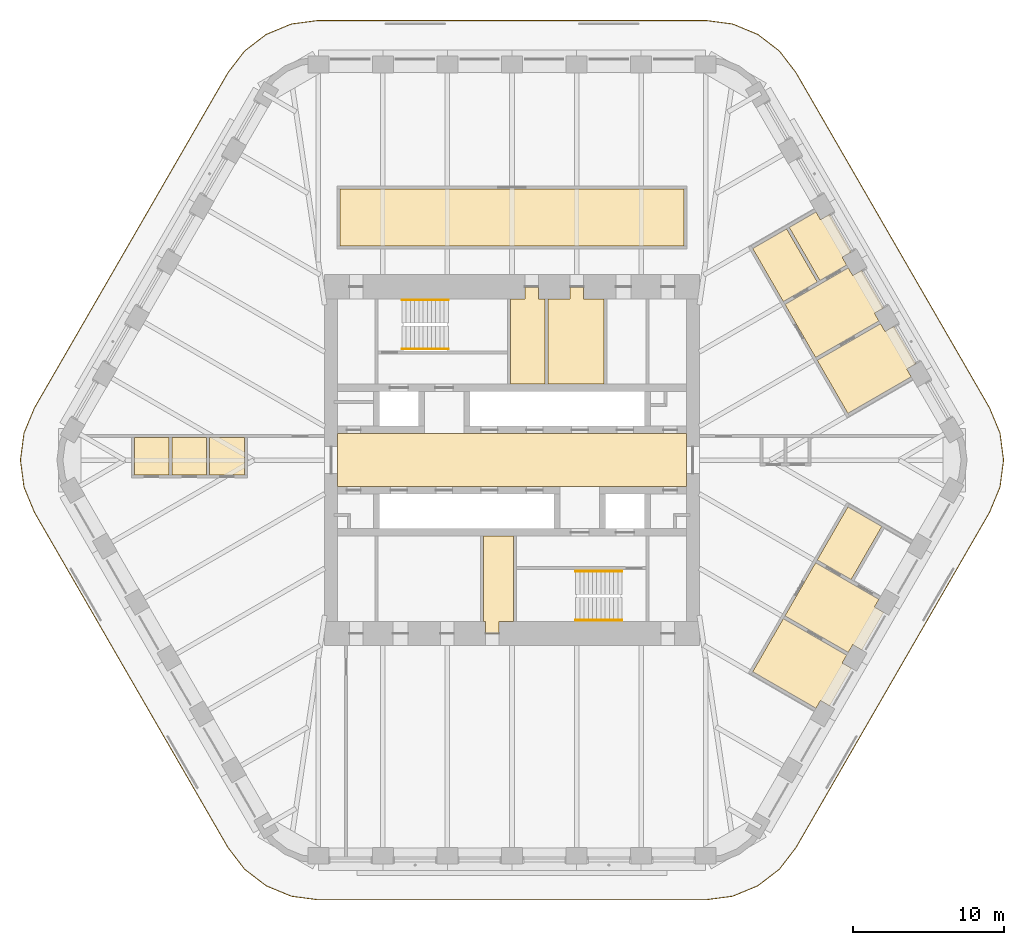
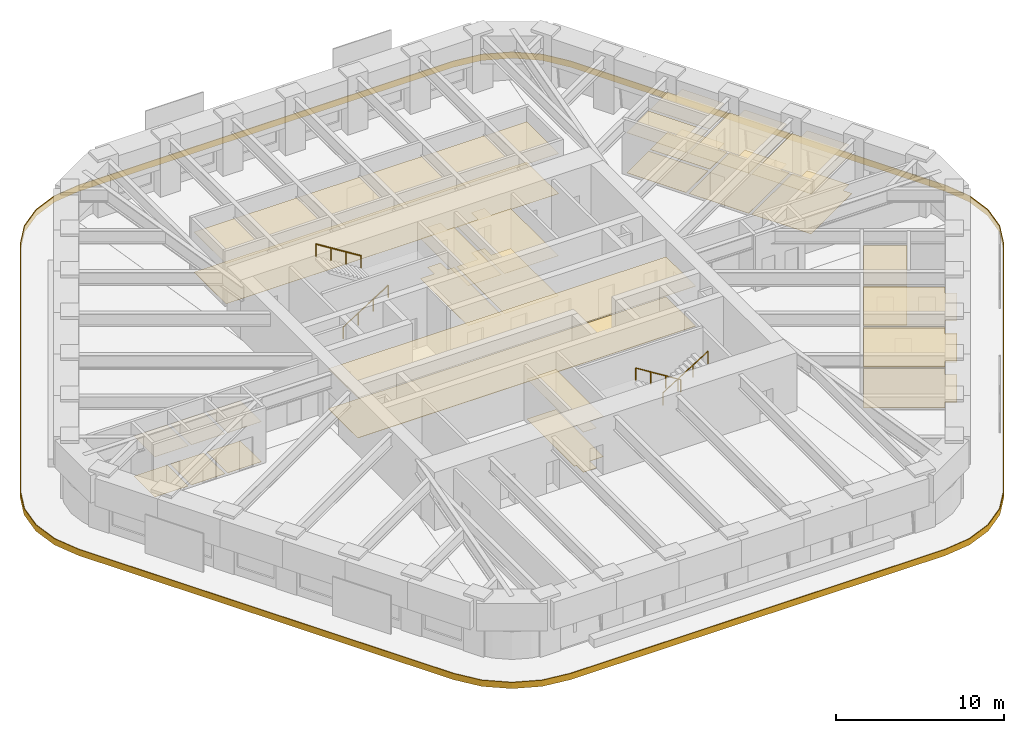
# One storey, part 17 of 18: 11 coverings, 4 railings.
"""IFC4 building model written with IfcOpenShell, lengths in metres."""

from ifc_helpers import new_model, si_unit, direction, frame, origin, origin_2d, place, context, subcontext, project, spatial, polyline, circle, outline, extrude, material, layer, layer_set, type_object, element, save


model = new_model("IFC4")

# Units and contexts
model_context = context("Model", 3, precision=1e-05, world=origin(), true_north=direction((0.0, 1.0)))
body_context = subcontext(model_context, "Body", "Model", "MODEL_VIEW")
ifc_project = project(units=[si_unit("LENGTHUNIT", "METRE"), si_unit("AREAUNIT", "SQUARE_METRE"), si_unit("VOLUMEUNIT", "CUBIC_METRE"), si_unit("PLANEANGLEUNIT", "RADIAN"), si_unit("MASSUNIT", "GRAM", prefix="KILO")], contexts=[model_context])

# Site, building, storey
site_placement = place(None, origin())
site = spatial("IfcSite", under=ifc_project, at=site_placement, CompositionType="ELEMENT")
building_placement = place(site_placement, origin())
building = spatial("IfcBuilding", under=site, at=building_placement, Name="Tarfa Lantern Tower", CompositionType="ELEMENT")
storey_placement = place(building_placement, frame((0.0, 0.0, 315.699951171875)))
storey = spatial("IfcBuildingStorey", under=building, at=storey_placement, Name="L71", CompositionType="ELEMENT", Elevation=315.699951171875)

# Coverings
ifc_material_1 = material(Name="Mineral fibre acoustic tile on suspension grid", Category="finish")
ifc_layer_1 = layer(ifc_material_1, 0.02001953125)
ifc_layer_set_1 = layer_set([ifc_layer_1], Name="CL1 ACOUSTIC TILE CEILING 20")
covering_type_1 = type_object("IfcCoveringType", Name="CL1 ACOUSTIC TILE CEILING 20", PredefinedType="CEILING", material=ifc_layer_set_1)
covering_1_placement = place(storey_placement, frame((0.0, 0.0, 2.900146484375)))
element("IfcCovering", 1, at=covering_1_placement, inside=storey, type_object=covering_type_1, Name="Ceiling L71 CL1", PredefinedType="CEILING", context=body_context, shape_type="SweptSolid", body=[
    extrude(outline(polyline([(18.106689453125, 10.33837890625), (22.306884765625, 12.763427734375), (22.60693359375, 12.243896484375), (23.213134765625, 12.59375), (24.654052734375, 10.097900390625), (24.0478515625, 9.747802734375), (24.347900390625, 9.228271484375), (20.147705078125, 6.80322265625), (18.106689453125, 10.33837890625)])), origin(), (0.0, 0.0, 1.0), 0.02001953125),
    extrude(outline(polyline([(18.390380859375, 15.44677734375), (20.165771484375, 16.4716796875), (20.4658203125, 15.9521484375), (21.072021484375, 16.302001953125), (22.51318359375, 13.80615234375), (21.90673828125, 13.456298828125), (22.206787109375, 12.9365234375), (20.431396484375, 11.91162109375), (18.390380859375, 15.44677734375)])), origin(), (0.0, 0.0, 1.0), 0.02001953125),
    extrude(outline(polyline([(20.147705078125, -6.80322265625), (24.347900390625, -9.228271484375), (24.0478515625, -9.747802734375), (24.654052734375, -10.097900390625), (23.213134765625, -12.59375), (22.60693359375, -12.243896484375), (22.306884765625, -12.763427734375), (18.106689453125, -10.33837890625), (20.147705078125, -6.80322265625)])), origin(), (0.0, 0.0, 1.0), 0.02001953125),
    extrude(outline(polyline([(-20.054931640625, -1.0), (-20.054931640625, 1.5), (-17.7548828125, 1.5), (-17.7548828125, -1.0), (-20.054931640625, -1.0)])), origin(), (0.0, 0.0, 1.0), 0.02001953125),
    extrude(outline(polyline([(-22.554931640625, -1.0), (-22.554931640625, 1.5), (-20.2548828125, 1.5), (-20.2548828125, -1.0), (-22.554931640625, -1.0)])), origin(), (0.0, 0.0, 1.0), 0.02001953125),
    extrude(outline(polyline([(-25.054931640625, -1.0), (-25.054931640625, 1.5), (-22.7548828125, 1.5), (-22.7548828125, -1.0), (-25.054931640625, -1.0)])), origin(), (0.0, 0.0, 1.0), 0.02001953125),
    extrude(outline(polyline([(-11.39990234375, 18.0), (11.39990234375, 18.0), (11.39990234375, 14.199951171875), (-11.39990234375, 14.199951171875), (-11.39990234375, 18.0)])), origin(), (0.0, 0.0, 1.0), 0.02001953125),
    extrude(outline(polyline([(20.24755859375, 6.630126953125), (24.44775390625, 9.05517578125), (24.747802734375, 8.535400390625), (25.35400390625, 8.885498046875), (26.795166015625, 6.3896484375), (26.18896484375, 6.03955078125), (26.48876953125, 5.52001953125), (22.28857421875, 3.094970703125), (20.24755859375, 6.630126953125)])), origin(), (0.0, 0.0, 1.0), 0.02001953125),
    extrude(outline(polyline([(15.965576171875, 14.046630859375), (18.21728515625, 15.3466796875), (20.25830078125, 11.8115234375), (18.006591796875, 10.51171875), (15.965576171875, 14.046630859375)])), origin(), (0.0, 0.0, 1.0), 0.02001953125),
    extrude(outline(polyline([(18.006591796875, -10.51171875), (22.206787109375, -12.9365234375), (21.90673828125, -13.456298828125), (22.51318359375, -13.80615234375), (21.072021484375, -16.302001953125), (20.4658203125, -15.9521484375), (20.165771484375, -16.4716796875), (15.965576171875, -14.046630859375), (18.006591796875, -10.51171875)])), origin(), (0.0, 0.0, 1.0), 0.02001953125),
    extrude(outline(polyline([(22.28857421875, -3.094970703125), (24.540283203125, -4.39501953125), (22.499267578125, -7.93017578125), (20.24755859375, -6.630126953125), (22.28857421875, -3.094970703125)])), origin(), (0.0, 0.0, 1.0), 0.02001953125),
])
ifc_material_2 = material(Name="Moisture-resistant plasterboard", Category="finish")
ifc_layer_2 = layer(ifc_material_2, 0.014892578125)
ifc_layer_set_2 = layer_set([ifc_layer_2], Name="CL2 MOISTURE-RESISTANT PLASTERBOARD CEILING 15")
covering_type_2 = type_object("IfcCoveringType", Name="CL2 MOISTURE-RESISTANT PLASTERBOARD CEILING 15", PredefinedType="CEILING", material=ifc_layer_set_2)
covering_2_placement = place(storey_placement, frame((0.0, 0.0, 2.900146484375)))
element("IfcCovering", 2, at=covering_2_placement, inside=storey, type_object=covering_type_2, Name="Ceiling L71-05", PredefinedType="CEILING", context=body_context, shape_type="SweptSolid", body=[
    extrude(outline(polyline([(0.85009765625, 10.699951171875), (-0.10009765625, 10.699951171875), (-0.10009765625, 5.050048828125), (2.199951171875, 5.050048828125), (2.199951171875, 10.699951171875), (1.75, 10.699951171875), (1.75, 11.5), (0.85009765625, 11.5), (0.85009765625, 10.699951171875)])), origin(), (0.0, 0.0, 1.0), 0.014892578125),
])
covering_3_placement = place(storey_placement, frame((0.0, 0.0, 2.900146484375)))
element("IfcCovering", 3, at=covering_3_placement, inside=storey, type_object=covering_type_2, Name="Ceiling L71-06", PredefinedType="CEILING", context=body_context, shape_type="SweptSolid", body=[
    extrude(outline(polyline([(2.39990234375, 5.050048828125), (6.10009765625, 5.050048828125), (6.10009765625, 10.699951171875), (4.75, 10.699951171875), (4.75, 11.5), (3.85009765625, 11.5), (3.85009765625, 10.699951171875), (2.39990234375, 10.699951171875), (2.39990234375, 5.050048828125)])), origin(), (0.0, 0.0, 1.0), 0.014892578125),
])
covering_4_placement = place(storey_placement, frame((0.0, 0.0, 2.900146484375)))
element("IfcCovering", 4, at=covering_4_placement, inside=storey, type_object=covering_type_2, Name="Ceiling L71-13", PredefinedType="CEILING", context=body_context, shape_type="SweptSolid", body=[
    extrude(outline(polyline([(-0.85009765625, -10.699951171875), (0.10009765625, -10.699951171875), (0.10009765625, -5.050048828125), (-1.89990234375, -5.050048828125), (-1.89990234375, -10.699951171875), (-1.75, -10.699951171875), (-1.75, -11.5), (-1.75, -11.5), (-0.85009765625, -11.5), (-0.85009765625, -10.699951171875)])), origin(), (0.0, 0.0, 1.0), 0.014892578125),
])
ifc_material_3 = material(Name="Powder-coated aluminium panel", Category="aluminium")
ifc_layer_3 = layer(ifc_material_3, 0.030029296875)
ifc_layer_set_3 = layer_set([ifc_layer_3], Name="CL3 METAL PANEL CEILING 30")
covering_type_3 = type_object("IfcCoveringType", Name="CL3 METAL PANEL CEILING 30", PredefinedType="CEILING", material=ifc_layer_set_3)
covering_5_placement = place(storey_placement, frame((0.0, 0.0, 2.900146484375)))
element("IfcCovering", 5, at=covering_5_placement, inside=storey, type_object=covering_type_3, Name="Ceiling L71-01", PredefinedType="CEILING", context=body_context, shape_type="SweptSolid", body=[
    extrude(outline(polyline([(-11.574951171875, -1.75), (11.574951171875, -1.75), (11.574951171875, 1.75), (-11.574951171875, 1.75), (-11.574951171875, -1.75)])), origin(), (0.0, 0.0, 1.0), 0.02978515625),
])
ifc_material_4 = material(Name="Nylon carpet tile", Category="finish")
ifc_layer_4 = layer(ifc_material_4, 0.010009765625)
ifc_layer_set_4 = layer_set([ifc_layer_4], Name="FL1 CARPET TILE 10")
covering_type_4 = type_object("IfcCoveringType", Name="FL1 CARPET TILE 10", PredefinedType="FLOORING", material=ifc_layer_set_4)
covering_6_placement = place(storey_placement, origin())
element("IfcCovering", 6, at=covering_6_placement, inside=storey, type_object=covering_type_4, Name="Floor finish L71 FL1", PredefinedType="FLOORING", context=body_context, shape_type="SweptSolid", body=[
    extrude(outline(polyline([(18.106689453125, 10.33837890625), (22.306884765625, 12.763427734375), (22.60693359375, 12.243896484375), (23.213134765625, 12.59375), (24.654052734375, 10.097900390625), (24.0478515625, 9.747802734375), (24.347900390625, 9.228271484375), (20.147705078125, 6.80322265625), (18.106689453125, 10.33837890625)])), origin(), (0.0, 0.0, 1.0), 0.010009765625),
    extrude(outline(polyline([(18.390380859375, 15.44677734375), (20.165771484375, 16.4716796875), (20.4658203125, 15.9521484375), (21.072021484375, 16.302001953125), (22.51318359375, 13.80615234375), (21.90673828125, 13.456298828125), (22.206787109375, 12.9365234375), (20.431396484375, 11.91162109375), (18.390380859375, 15.44677734375)])), origin(), (0.0, 0.0, 1.0), 0.010009765625),
    extrude(outline(polyline([(20.147705078125, -6.80322265625), (24.347900390625, -9.228271484375), (24.0478515625, -9.747802734375), (24.654052734375, -10.097900390625), (23.213134765625, -12.59375), (22.60693359375, -12.243896484375), (22.306884765625, -12.763427734375), (18.106689453125, -10.33837890625), (20.147705078125, -6.80322265625)])), origin(), (0.0, 0.0, 1.0), 0.010009765625),
    extrude(outline(polyline([(-20.054931640625, -1.0), (-20.054931640625, 1.5), (-17.7548828125, 1.5), (-17.7548828125, -1.0), (-20.054931640625, -1.0)])), origin(), (0.0, 0.0, 1.0), 0.010009765625),
    extrude(outline(polyline([(-22.554931640625, -1.0), (-22.554931640625, 1.5), (-20.2548828125, 1.5), (-20.2548828125, -1.0), (-22.554931640625, -1.0)])), origin(), (0.0, 0.0, 1.0), 0.010009765625),
    extrude(outline(polyline([(-25.054931640625, -1.0), (-25.054931640625, 1.5), (-22.7548828125, 1.5), (-22.7548828125, -1.0), (-25.054931640625, -1.0)])), origin(), (0.0, 0.0, 1.0), 0.010009765625),
    extrude(outline(polyline([(-11.39990234375, 18.0), (11.39990234375, 18.0), (11.39990234375, 14.199951171875), (-11.39990234375, 14.199951171875), (-11.39990234375, 18.0)])), origin(), (0.0, 0.0, 1.0), 0.010009765625),
    extrude(outline(polyline([(20.24755859375, 6.630126953125), (24.44775390625, 9.05517578125), (24.747802734375, 8.535400390625), (25.35400390625, 8.885498046875), (26.795166015625, 6.3896484375), (26.18896484375, 6.03955078125), (26.48876953125, 5.52001953125), (22.28857421875, 3.094970703125), (20.24755859375, 6.630126953125)])), origin(), (0.0, 0.0, 1.0), 0.010009765625),
    extrude(outline(polyline([(15.965576171875, 14.046630859375), (18.21728515625, 15.3466796875), (20.25830078125, 11.8115234375), (18.006591796875, 10.51171875), (15.965576171875, 14.046630859375)])), origin(), (0.0, 0.0, 1.0), 0.010009765625),
    extrude(outline(polyline([(18.006591796875, -10.51171875), (22.206787109375, -12.9365234375), (21.90673828125, -13.456298828125), (22.51318359375, -13.80615234375), (21.072021484375, -16.302001953125), (20.4658203125, -15.9521484375), (20.165771484375, -16.4716796875), (15.965576171875, -14.046630859375), (18.006591796875, -10.51171875)])), origin(), (0.0, 0.0, 1.0), 0.010009765625),
    extrude(outline(polyline([(22.28857421875, -3.094970703125), (24.540283203125, -4.39501953125), (22.499267578125, -7.93017578125), (20.24755859375, -6.630126953125), (22.28857421875, -3.094970703125)])), origin(), (0.0, 0.0, 1.0), 0.010009765625),
])
ifc_material_5 = material(Name="Honed limestone flooring", Category="masonry")
ifc_layer_5 = layer(ifc_material_5, 0.030029296875)
ifc_layer_set_5 = layer_set([ifc_layer_5], Name="FL2 STONE FLOORING 30")
covering_type_5 = type_object("IfcCoveringType", Name="FL2 STONE FLOORING 30", PredefinedType="FLOORING", material=ifc_layer_set_5)
covering_7_placement = place(storey_placement, origin())
element("IfcCovering", 7, at=covering_7_placement, inside=storey, type_object=covering_type_5, Name="Floor finish L71-01", PredefinedType="FLOORING", context=body_context, shape_type="SweptSolid", body=[
    extrude(outline(polyline([(-11.574951171875, -1.75), (11.574951171875, -1.75), (11.574951171875, 1.75), (-11.574951171875, 1.75), (-11.574951171875, -1.75)])), origin(), (0.0, 0.0, 1.0), 0.030029296875),
])
ifc_material_6 = material(Name="Porcelain floor tile", Category="finish")
ifc_layer_6 = layer(ifc_material_6, 0.011962890625)
ifc_layer_set_6 = layer_set([ifc_layer_6], Name="FL3 CERAMIC TILE 12")
covering_type_6 = type_object("IfcCoveringType", Name="FL3 CERAMIC TILE 12", PredefinedType="FLOORING", material=ifc_layer_set_6)
covering_8_placement = place(storey_placement, origin())
element("IfcCovering", 8, at=covering_8_placement, inside=storey, type_object=covering_type_6, Name="Floor finish L71-05", PredefinedType="FLOORING", context=body_context, shape_type="SweptSolid", body=[
    extrude(outline(polyline([(0.85009765625, 10.699951171875), (-0.10009765625, 10.699951171875), (-0.10009765625, 5.050048828125), (2.199951171875, 5.050048828125), (2.199951171875, 10.699951171875), (1.75, 10.699951171875), (1.75, 11.5), (0.85009765625, 11.5), (0.85009765625, 10.699951171875)])), origin(), (0.0, 0.0, 1.0), 0.011962890625),
])
covering_9_placement = place(storey_placement, origin())
element("IfcCovering", 9, at=covering_9_placement, inside=storey, type_object=covering_type_6, Name="Floor finish L71-06", PredefinedType="FLOORING", context=body_context, shape_type="SweptSolid", body=[
    extrude(outline(polyline([(2.39990234375, 5.050048828125), (6.10009765625, 5.050048828125), (6.10009765625, 10.699951171875), (4.75, 10.699951171875), (4.75, 11.5), (3.85009765625, 11.5), (3.85009765625, 10.699951171875), (2.39990234375, 10.699951171875), (2.39990234375, 5.050048828125)])), origin(), (0.0, 0.0, 1.0), 0.011962890625),
])
covering_10_placement = place(storey_placement, origin())
element("IfcCovering", 10, at=covering_10_placement, inside=storey, type_object=covering_type_6, Name="Floor finish L71-13", PredefinedType="FLOORING", context=body_context, shape_type="SweptSolid", body=[
    extrude(outline(polyline([(-0.85009765625, -10.699951171875), (0.10009765625, -10.699951171875), (0.10009765625, -5.050048828125), (-1.89990234375, -5.050048828125), (-1.89990234375, -10.699951171875), (-1.75, -10.699951171875), (-1.75, -11.5), (-1.75, -11.5), (-0.85009765625, -11.5), (-0.85009765625, -10.699951171875)])), origin(), (0.0, 0.0, 1.0), 0.011962890625),
])

# Railings
ifc_material_7 = material(Name="Stainless steel", Category="steel")
railing_type = type_object("IfcRailingType", Name="HR1 HANDRAIL 900", PredefinedType="HANDRAIL", material=ifc_material_7)
railing_1_placement = place(storey_placement, frame((-7.300048828125, 7.3798828125, 0.175048828125)))
element("IfcRailing", 11, at=railing_1_placement, inside=storey, type_object=railing_type, Name="Handrail 1", PredefinedType="HANDRAIL", context=body_context, shape_type="SweptSolid", body=[
    extrude(circle(Radius=0.02392578125, at=origin_2d()), frame((0.0, 0.0, 0.8759765625), z_axis=(0.847998304005, 0.0, 0.529998940003), x_axis=(0.0, 1.0, 0.0)), (0.0, 0.0, 1.0), 3.632080078125),
    extrude(circle(Radius=0.02099609375, at=origin_2d()), frame((0.0, 0.0, 0.0), z_axis=(0.0, 0.0, 1.0), x_axis=(0.0, 1.0, 0.0)), (0.0, 0.0, 1.0), 0.851806640625),
    extrude(circle(Radius=0.02099609375, at=origin_2d()), frame((1.026611328125, 0.0, 0.6416015625), z_axis=(0.0, 0.0, 1.0), x_axis=(0.0, 1.0, 0.0)), (0.0, 0.0, 1.0), 0.851806640625),
    extrude(circle(Radius=0.02099609375, at=origin_2d()), frame((2.053466796875, 0.0, 1.283447265625), z_axis=(0.0, 0.0, 1.0), x_axis=(0.0, 1.0, 0.0)), (0.0, 0.0, 1.0), 0.851806640625),
    extrude(circle(Radius=0.02099609375, at=origin_2d()), frame((3.080078125, 0.0, 1.925048828125), z_axis=(0.0, 0.0, 1.0), x_axis=(0.0, 1.0, 0.0)), (0.0, 0.0, 1.0), 0.851806640625),
])
railing_2_placement = place(storey_placement, frame((-4.219970703125, 10.6201171875, 2.275146484375)))
element("IfcRailing", 12, at=railing_2_placement, inside=storey, type_object=railing_type, Name="Handrail 2", PredefinedType="HANDRAIL", context=body_context, shape_type="SweptSolid", body=[
    extrude(circle(Radius=0.02392578125, at=origin_2d()), frame((0.0, 0.0, 0.8759765625), z_axis=(-0.848028513186, 0.0, 0.529950602248), x_axis=(0.0, -1.0, 0.0)), (0.0, 0.0, 1.0), 3.632080078125),
    extrude(circle(Radius=0.02099609375, at=origin_2d()), frame((0.0, 0.0, 0.0), z_axis=(0.0, 0.0, 1.0), x_axis=(0.0, -1.0, 0.0)), (0.0, 0.0, 1.0), 0.851806640625),
    extrude(circle(Radius=0.02099609375, at=origin_2d()), frame((-1.026611328125, 0.0, 0.6416015625), z_axis=(0.0, 0.0, 1.0), x_axis=(0.0, -1.0, 0.0)), (0.0, 0.0, 1.0), 0.851806640625),
    extrude(circle(Radius=0.02099609375, at=origin_2d()), frame((-2.053466796875, 0.0, 1.283203125), z_axis=(0.0, 0.0, 1.0), x_axis=(0.0, -1.0, 0.0)), (0.0, 0.0, 1.0), 0.851806640625),
    extrude(circle(Radius=0.02099609375, at=origin_2d()), frame((-3.080078125, 0.0, 1.9248046875), z_axis=(0.0, 0.0, 1.0), x_axis=(0.0, -1.0, 0.0)), (0.0, 0.0, 1.0), 0.851806640625),
])
railing_3_placement = place(storey_placement, frame((7.300048828125, -7.3798828125, 0.175048828125)))
element("IfcRailing", 13, at=railing_3_placement, inside=storey, type_object=railing_type, Name="Handrail 1", PredefinedType="HANDRAIL", context=body_context, shape_type="SweptSolid", body=[
    extrude(circle(Radius=0.02392578125, at=origin_2d()), frame((0.0, 0.0, 0.8759765625), z_axis=(-0.847998304005, 0.0, 0.529998940003), x_axis=(0.0, -1.0, 0.0)), (0.0, 0.0, 1.0), 3.632080078125),
    extrude(circle(Radius=0.02099609375, at=origin_2d()), frame((0.0, 0.0, 0.0), z_axis=(0.0, 0.0, 1.0), x_axis=(0.0, -1.0, 0.0)), (0.0, 0.0, 1.0), 0.851806640625),
    extrude(circle(Radius=0.02099609375, at=origin_2d()), frame((-1.026611328125, 0.0, 0.6416015625), z_axis=(0.0, 0.0, 1.0), x_axis=(0.0, -1.0, 0.0)), (0.0, 0.0, 1.0), 0.851806640625),
    extrude(circle(Radius=0.02099609375, at=origin_2d()), frame((-2.053466796875, 0.0, 1.283447265625), z_axis=(0.0, 0.0, 1.0), x_axis=(0.0, -1.0, 0.0)), (0.0, 0.0, 1.0), 0.851806640625),
    extrude(circle(Radius=0.02099609375, at=origin_2d()), frame((-3.080078125, 0.0, 1.925048828125), z_axis=(0.0, 0.0, 1.0), x_axis=(0.0, -1.0, 0.0)), (0.0, 0.0, 1.0), 0.851806640625),
])
railing_4_placement = place(storey_placement, frame((4.219970703125, -10.6201171875, 2.275146484375)))
element("IfcRailing", 14, at=railing_4_placement, inside=storey, type_object=railing_type, Name="Handrail 2", PredefinedType="HANDRAIL", context=body_context, shape_type="SweptSolid", body=[
    extrude(circle(Radius=0.02392578125, at=origin_2d()), frame((0.0, 0.0, 0.8759765625), z_axis=(0.848028513186, 0.0, 0.529950602248), x_axis=(0.0, 1.0, 0.0)), (0.0, 0.0, 1.0), 3.632080078125),
    extrude(circle(Radius=0.02099609375, at=origin_2d()), frame((0.0, 0.0, 0.0), z_axis=(0.0, 0.0, 1.0), x_axis=(0.0, 1.0, 0.0)), (0.0, 0.0, 1.0), 0.851806640625),
    extrude(circle(Radius=0.02099609375, at=origin_2d()), frame((1.026611328125, 0.0, 0.6416015625), z_axis=(0.0, 0.0, 1.0), x_axis=(0.0, 1.0, 0.0)), (0.0, 0.0, 1.0), 0.851806640625),
    extrude(circle(Radius=0.02099609375, at=origin_2d()), frame((2.053466796875, 0.0, 1.283203125), z_axis=(0.0, 0.0, 1.0), x_axis=(0.0, 1.0, 0.0)), (0.0, 0.0, 1.0), 0.851806640625),
    extrude(circle(Radius=0.02099609375, at=origin_2d()), frame((3.080078125, 0.0, 1.9248046875), z_axis=(0.0, 0.0, 1.0), x_axis=(0.0, 1.0, 0.0)), (0.0, 0.0, 1.0), 0.851806640625),
])

# Covering
ifc_material_8 = material(Name="Limestone cladding on brackets", Category="masonry")
ifc_layer_7 = layer(ifc_material_8, 0.050048828125)
ifc_layer_set_7 = layer_set([ifc_layer_7], Name="SB1 STONE BAND CLADDING 50")
covering_type_7 = type_object("IfcCoveringType", Name="SB1 STONE BAND CLADDING 50", PredefinedType="CLADDING", material=ifc_layer_set_7)
covering_11_placement = place(storey_placement, frame((0.0, 0.0, -0.39990234375)))
element("IfcCovering", 15, at=covering_11_placement, inside=storey, type_object=covering_type_7, Name="Stone band", PredefinedType="CLADDING", context=body_context, shape_type="SweptSolid", body=[
    extrude(outline(polyline([(31.7109375, 3.47509765625), (18.864990234375, 25.72509765625), (17.760498046875, 27.164306640625), (16.321044921875, 28.268798828125), (14.644775390625, 28.963134765625), (12.845947265625, 29.199951171875), (-12.845947265625, 29.199951171875), (-14.644775390625, 28.963134765625), (-16.321044921875, 28.268798828125), (-17.760498046875, 27.164306640625), (-18.864990234375, 25.72509765625), (-31.7109375, 3.47509765625), (-32.4052734375, 1.798828125), (-32.64208984375, 0.0), (-32.4052734375, -1.798828125), (-31.7109375, -3.47509765625), (-18.864990234375, -25.72509765625), (-17.760498046875, -27.164306640625), (-16.321044921875, -28.268798828125), (-14.644775390625, -28.963134765625), (-12.845947265625, -29.199951171875), (12.845947265625, -29.199951171875), (14.644775390625, -28.963134765625), (16.321044921875, -28.268798828125), (17.760498046875, -27.164306640625), (18.864990234375, -25.72509765625), (31.7109375, -3.47509765625), (32.4052734375, -1.798828125), (32.64208984375, 0.0), (32.4052734375, 1.798828125), (31.7109375, 3.47509765625)]), holes=[polyline([(31.667724609375, 3.449951171875), (18.821533203125, 25.699951171875), (17.72509765625, 27.129150390625), (16.296142578125, 28.2255859375), (14.6318359375, 28.914794921875), (12.845947265625, 29.14990234375), (-12.845947265625, 29.14990234375), (-14.6318359375, 28.914794921875), (-16.296142578125, 28.2255859375), (-17.72509765625, 27.129150390625), (-18.821533203125, 25.699951171875), (-31.667724609375, 3.449951171875), (-32.35693359375, 1.785888671875), (-32.592041015625, 0.0), (-32.35693359375, -1.785888671875), (-31.667724609375, -3.449951171875), (-18.821533203125, -25.699951171875), (-17.72509765625, -27.129150390625), (-16.296142578125, -28.2255859375), (-14.6318359375, -28.914794921875), (-12.845947265625, -29.14990234375), (12.845947265625, -29.14990234375), (14.6318359375, -28.914794921875), (16.296142578125, -28.2255859375), (17.72509765625, -27.129150390625), (18.821533203125, -25.699951171875), (31.667724609375, -3.449951171875), (32.35693359375, -1.785888671875), (32.592041015625, 0.0), (32.35693359375, 1.785888671875), (31.667724609375, 3.449951171875)])]), origin(), (0.0, 0.0, 1.0), 0.449951171875),
])

save(model, "model.ifc")
